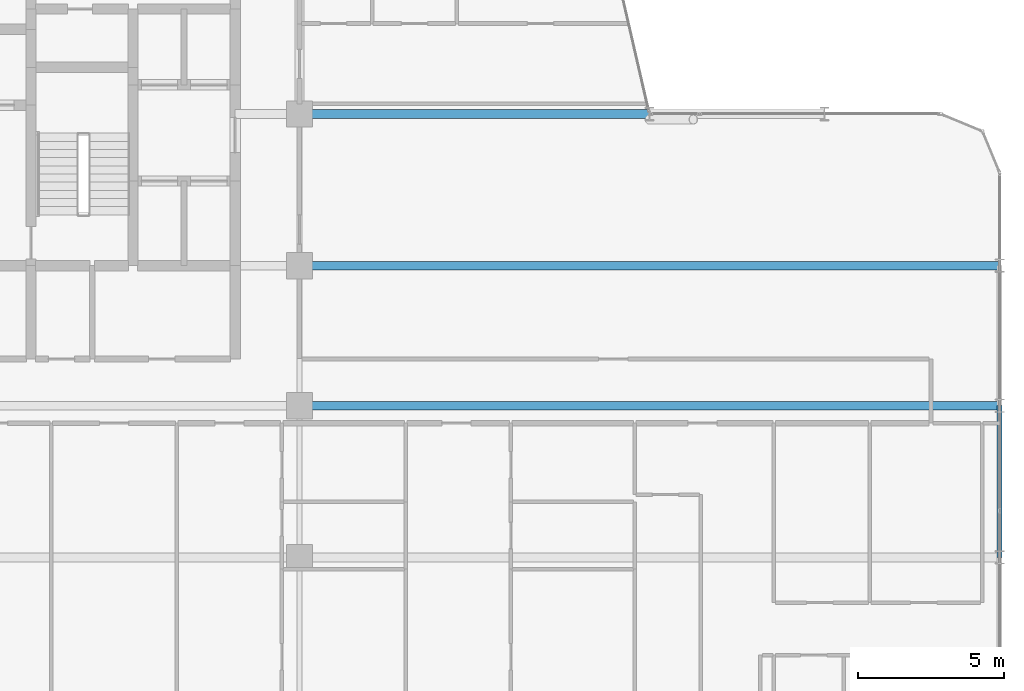
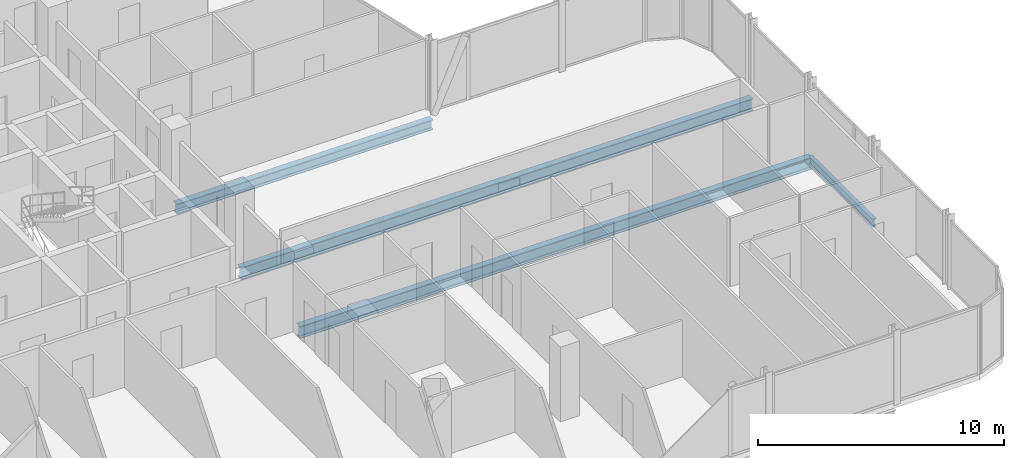
# One storey, part 13 of 29: 4 beams.
"""IFC4 building model written with IfcOpenShell, lengths in metres."""

from ifc_helpers import new_model, si_unit, direction, frame, origin, origin_2d, place, context, subcontext, project, spatial, i_section, extrude, material, material_profile, profile_set, type_object, element, save


model = new_model("IFC4")

# Units and contexts
model_context = context("Model", 3, precision=1e-05, world=origin(), true_north=direction((0.0, 1.0)))
body_context = subcontext(model_context, "Body", "Model", "MODEL_VIEW")
ifc_project = project(units=[si_unit("LENGTHUNIT", "METRE"), si_unit("AREAUNIT", "SQUARE_METRE"), si_unit("VOLUMEUNIT", "CUBIC_METRE"), si_unit("PLANEANGLEUNIT", "RADIAN"), si_unit("MASSUNIT", "GRAM", prefix="KILO")], contexts=[model_context])

# Site, building, storey
site_placement = place(None, origin())
site = spatial("IfcSite", under=ifc_project, at=site_placement, CompositionType="ELEMENT")
building_placement = place(site_placement, origin())
building = spatial("IfcBuilding", under=site, at=building_placement, Name="Keshet Zoharim Tower", CompositionType="ELEMENT")
storey_placement = place(building_placement, frame((0.0, 0.0, 199.5)))
storey = spatial("IfcBuildingStorey", under=building, at=storey_placement, Name="L49", CompositionType="ELEMENT", Elevation=199.5)

# Beams
ifc_material = material(Name="Steel S355", Category="steel")
ifc_material_profile_1 = material_profile(ifc_material, i_section(OverallWidth=0.300048828125, OverallDepth=0.60009765625, WebThickness=0.015380859375, FlangeThickness=0.030029296875, FilletRadius=0.027099609375, at=origin_2d()), Name="HEB600")
ifc_profile_set_1 = profile_set([ifc_material_profile_1], Name="Steel S355")
beam_type_1 = type_object("IfcBeamType", Name="BM-LNG-HB600", PredefinedType="BEAM", material=ifc_profile_set_1)
for number, where, z_axis, x_axis, name in (
    (1, (33.0, 17.89990234375, -0.610107421875), (1.0, 0.0, 0.0), (0.0, 1.0, 0.0), "L49 Primary Girder X-013"),
    (2, (33.0, 22.699951171875, -0.610107421875), (1.0, 0.0, 0.0), (0.0, 1.0, 0.0), "L49 Primary Girder X-014"),
):
    element("IfcBeam", number, at=place(storey_placement, frame(where, z_axis=z_axis, x_axis=x_axis)), inside=storey, type_object=beam_type_1, Name=name, PredefinedType="BEAM", context=body_context, shape_type="SweptSolid", body=[
        extrude(i_section(OverallWidth=0.300048828125, OverallDepth=0.60009765625, WebThickness=0.015380859375, FlangeThickness=0.030029296875, FilletRadius=0.027099609375, at=origin_2d()), origin(), (0.0, 0.0, 1.0), 24.0),
    ])
ifc_material_profile_2 = material_profile(ifc_material, i_section(OverallWidth=0.300048828125, OverallDepth=0.5, WebThickness=0.014404296875, FlangeThickness=0.028076171875, FilletRadius=0.027099609375, at=origin_2d()), Name="HEB500")
ifc_profile_set_2 = profile_set([ifc_material_profile_2], Name="Steel S355")
beam_type_2 = type_object("IfcBeamType", Name="BM-MED-HB500", PredefinedType="BEAM", material=ifc_profile_set_2)
beam_1_placement = place(storey_placement, frame((33.0, 27.89990234375, -0.56005859375), z_axis=(1.0, 0.0, 0.0), x_axis=(0.0, 1.0, 0.0)))
element("IfcBeam", 3, at=beam_1_placement, inside=storey, type_object=beam_type_2, Name="L49 Primary Girder X-015", PredefinedType="BEAM", context=body_context, shape_type="SweptSolid", body=[
    extrude(i_section(OverallWidth=0.300048828125, OverallDepth=0.5, WebThickness=0.014404296875, FlangeThickness=0.028076171875, FilletRadius=0.027099609375, at=origin_2d()), origin(), (0.0, 0.0, 1.0), 12.0),
])
ifc_material_profile_3 = material_profile(ifc_material, i_section(OverallWidth=0.179931640625, OverallDepth=0.39990234375, WebThickness=0.008544921875, FlangeThickness=0.013427734375, FilletRadius=0.02099609375, at=origin_2d()), Name="IPE400")
ifc_profile_set_3 = profile_set([ifc_material_profile_3], Name="Steel S355")
beam_type_3 = type_object("IfcBeamType", Name="BM-PRI-IP400", PredefinedType="BEAM", material=ifc_profile_set_3)
beam_2_placement = place(storey_placement, frame((57.0, 12.699951171875, -0.510009765625), z_axis=(0.0, 1.0, 0.0), x_axis=(-1.0, 0.0, 0.0)))
element("IfcBeam", 4, at=beam_2_placement, inside=storey, type_object=beam_type_3, Name="L49 Primary Girder Y-014", PredefinedType="BEAM", context=body_context, shape_type="SweptSolid", body=[
    extrude(i_section(OverallWidth=0.179931640625, OverallDepth=0.39990234375, WebThickness=0.008544921875, FlangeThickness=0.013427734375, FilletRadius=0.02099609375, at=origin_2d()), origin(), (0.0, 0.0, 1.0), 5.199951171875),
])

save(model, "model.ifc")
